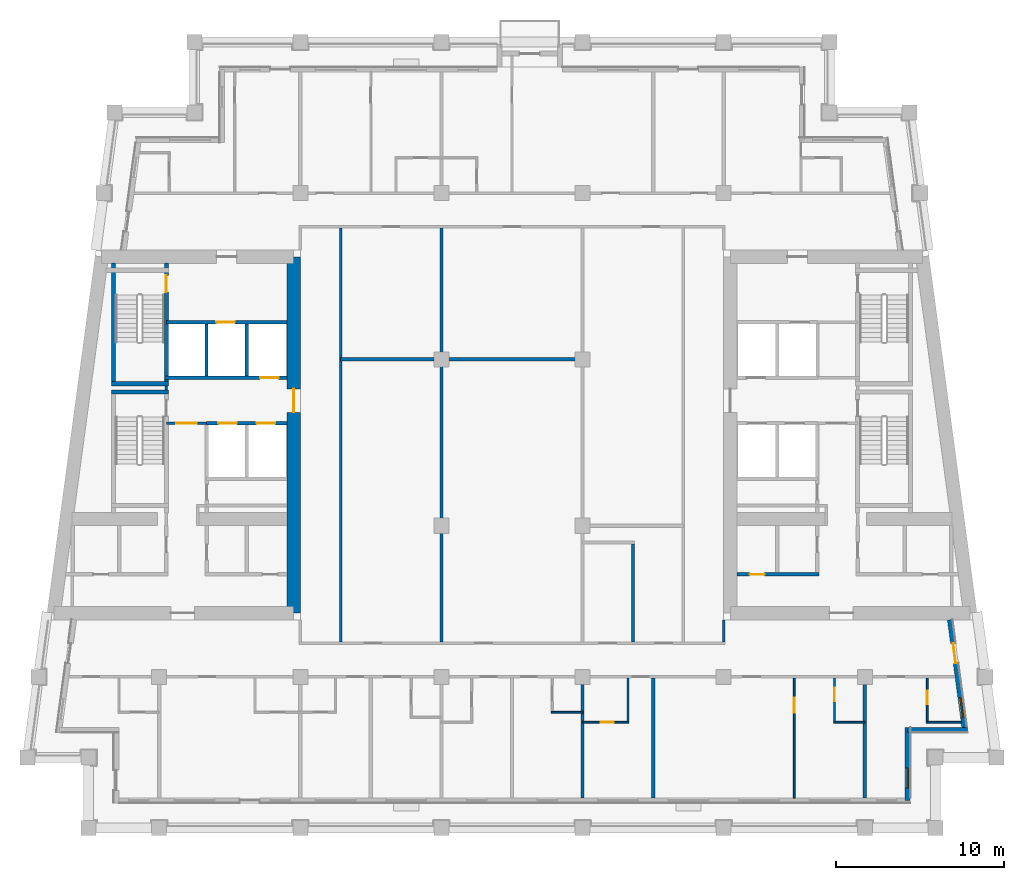
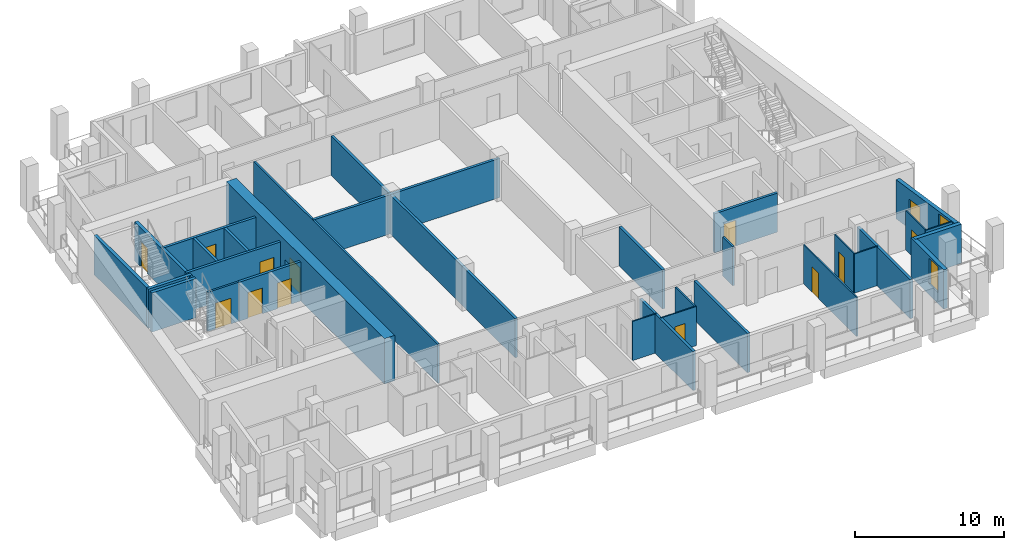
# One storey, part 4 of 13: 32 walls, 13 doors, 2 windows, 15 openings.
"""IFC4 building model written with IfcOpenShell, lengths in metres."""

import ifcopenshell
import ifcopenshell.guid

model = None  # the IFC model being written
_history = None  # IfcOwnerHistory: only IFC2X3 demands one
_inside = {}  # id of a spatial element -> (the spatial element, [elements in it])
_under = {}  # id of a project, library or spatial element -> (it, [spatial elements below it])
_declared = {}  # id of a project -> (the project, [libraries it declares])
_typed = {}  # id of a type object -> (the type object, [elements of that type])
_made_of = {}  # id of a material, layer set ... -> (it, [elements and type objects made of it])


def new_model(schema):
    """Start an empty IFC model of exactly this schema.

    Asked for "IFC4X3", IfcOpenShell would pick the latest addendum, in which some entities
    have other attributes; the version numbers below select the first issue.
    IFC2X3 requires an IfcOwnerHistory on every rooted entity: one is made here for all.
    """
    global model, _history
    if schema == "IFC4X3":
        model = ifcopenshell.file(schema_version=(4, 3, 0, 0))
    else:
        model = ifcopenshell.file(schema=schema)
    _inside.clear()
    _under.clear()
    _declared.clear()
    _typed.clear()
    _made_of.clear()
    _history = None
    if model.schema == "IFC2X3":
        org = make("IfcOrganization", Name="unknown")
        user = make(
            "IfcPersonAndOrganization",
            ThePerson=make("IfcPerson", FamilyName="unknown"),
            TheOrganization=org,
        )
        app = make(
            "IfcApplication",
            ApplicationDeveloper=org,
            Version="unknown",
            ApplicationFullName="unknown",
            ApplicationIdentifier="unknown",
        )
        _history = make(
            "IfcOwnerHistory",
            OwningUser=user,
            OwningApplication=app,
            ChangeAction="ADDED",
            CreationDate=0,
        )
    return model


def make(cls, **values):
    """One entity of the class cls with the attributes given. An attribute that is None is left unset."""
    return model.create_entity(
        cls, **{name: value for name, value in values.items() if value is not None}
    )


def rooted(cls, **values):
    """An entity with a GlobalId (a new one), such as an element, a storey or a relation."""
    return make(cls, GlobalId=ifcopenshell.guid.new(), OwnerHistory=_history, **values)


def si_unit(unit_type, name, prefix=None):
    """IfcSIUnit, for example si_unit("LENGTHUNIT", "METRE", prefix="MILLI")."""
    return make("IfcSIUnit", UnitType=unit_type, Prefix=prefix, Name=name)


def assignment(units):
    """IfcUnitAssignment: the units of a project."""
    return None if units is None else make("IfcUnitAssignment", Units=units)


def point(xyz):
    """IfcCartesianPoint."""
    return None if xyz is None else make("IfcCartesianPoint", Coordinates=xyz)


def direction(xyz):
    """IfcDirection."""
    return None if xyz is None else make("IfcDirection", DirectionRatios=xyz)


def frame(location, z_axis=None, x_axis=None):
    """IfcAxis2Placement3D, a coordinate frame: its origin and axes. An axis left out is left unset."""
    return make(
        "IfcAxis2Placement3D",
        Location=point(location),
        Axis=direction(z_axis),
        RefDirection=direction(x_axis),
    )


def frame_2d(location, x_axis=None):
    """IfcAxis2Placement2D, a coordinate frame in the plane: its origin and x axis."""
    return make(
        "IfcAxis2Placement2D", Location=point(location), RefDirection=direction(x_axis)
    )


def origin():
    """The frame at (0, 0, 0) with its axes left unset."""
    return frame((0.0, 0.0, 0.0))


def place(relative_to, where):
    """IfcLocalPlacement: puts the frame where relative to a parent placement (None: the world)."""
    return make(
        "IfcLocalPlacement", PlacementRelTo=relative_to, RelativePlacement=where
    )


def context(
    kind, dimensions, precision=None, world=None, true_north=None, identifier=None
):
    """IfcGeometricRepresentationContext, for example the 3D "Model" context."""
    return make(
        "IfcGeometricRepresentationContext",
        ContextIdentifier=identifier,
        ContextType=kind,
        CoordinateSpaceDimension=dimensions,
        Precision=precision,
        WorldCoordinateSystem=world,
        TrueNorth=true_north,
    )


def subcontext(parent, identifier, kind, view, scale=None):
    """IfcGeometricRepresentationSubContext, for example "Body" below "Model"."""
    return make(
        "IfcGeometricRepresentationSubContext",
        ContextIdentifier=identifier,
        ContextType=kind,
        ParentContext=parent,
        TargetScale=scale,
        TargetView=view,
    )


def project(units=None, contexts=None):
    """IfcProject with its units and contexts."""
    return rooted(
        "IfcProject",
        Name="project",
        RepresentationContexts=contexts,
        UnitsInContext=assignment(units),
    )


def spatial(cls, under=None, at=None, **own):
    """A site, building, storey or space (cls), placed at a placement, below another one or the project."""
    s = rooted(cls, ObjectPlacement=at, **own)
    if under is not None:
        _under.setdefault(under.id(), (under, []))[1].append(s)
    return s


def profile(cls, at=None, kind="AREA", **sizes):
    """A parametric profile (cls). Its sizes go by their IFC names, for example OverallWidth=200.0."""
    return make(cls, ProfileType=kind, Position=at, **sizes)


def rectangle(**sizes):
    """IfcRectangleProfileDef."""
    return profile("IfcRectangleProfileDef", **sizes)


def extrude(swept, where, along, depth):
    """IfcExtrudedAreaSolid: the profile swept, set in the frame where, extruded along a direction by depth."""
    return make(
        "IfcExtrudedAreaSolid",
        SweptArea=swept,
        Position=where,
        ExtrudedDirection=direction(along),
        Depth=depth,
    )


def shape(context_of_items, identifier, shape_type, items):
    """IfcShapeRepresentation: the items that make up one representation, for example the "Body"."""
    return make(
        "IfcShapeRepresentation",
        ContextOfItems=context_of_items,
        RepresentationIdentifier=identifier,
        RepresentationType=shape_type,
        Items=items,
    )


def material(Name=None, Category=None):
    """IfcMaterial."""
    return make("IfcMaterial", Name=Name, Category=Category)


def layer(
    of_material, thickness, ventilated=None, Name=None, Category=None, Priority=None
):
    """IfcMaterialLayer: one layer of a wall or slab, of a material (None: an air gap)."""
    return make(
        "IfcMaterialLayer",
        Material=of_material,
        LayerThickness=thickness,
        IsVentilated=ventilated,
        Name=Name,
        Category=Category,
        Priority=Priority,
    )


def layer_set(layers, Name=None):
    """IfcMaterialLayerSet."""
    return make("IfcMaterialLayerSet", MaterialLayers=layers, LayerSetName=Name)


def made_of(thing, what):
    """Note that an element or type object is made of a material, layer set ...; save() writes the relation."""
    if what is not None:
        _made_of.setdefault(what.id(), (what, []))[1].append(thing)
    return thing


def type_object(cls, material=None, **own):
    """A type object (cls), such as IfcWallType, which elements share."""
    return made_of(rooted(cls, **own), material)


def element(
    cls,
    number,
    at=None,
    inside=None,
    cuts=None,
    type_object=None,
    material=None,
    context=None,
    identifier="Body",
    shape_type=None,
    held_by="IfcProductDefinitionShape",
    body=None,
    shapes=None,
    **own,
):
    """One element of the class cls, such as IfcWall. Its Tag is "e" and its number.

    at: its placement. inside: the storey or other place that contains it. cuts: it is an
    opening in that element (IfcRelVoidsElement). A single representation is given by context,
    identifier, shape_type and body (its items); several are given by shapes. held_by: the class
    of the entity that holds the representations. save() writes the other relations.
    """
    e = rooted(cls, Tag="e%d" % number, ObjectPlacement=at, **own)
    if body is not None:
        shapes = [shape(context, identifier, shape_type, body)]
    if shapes is not None:
        e.Representation = make(held_by, Representations=shapes)
    if inside is not None:
        _inside.setdefault(inside.id(), (inside, []))[1].append(e)
    if cuts is not None:
        rooted(
            "IfcRelVoidsElement", RelatingBuildingElement=cuts, RelatedOpeningElement=e
        )
    if type_object is not None:
        _typed.setdefault(type_object.id(), (type_object, []))[1].append(e)
    return made_of(e, material)


def fill(opening, filler):
    """IfcRelFillsElement: the door or window that sits in an opening."""
    return rooted(
        "IfcRelFillsElement",
        RelatingOpeningElement=opening,
        RelatedBuildingElement=filler,
    )


def aggregate(whole, parts):
    """IfcRelAggregates: a whole, such as a stair, and the parts it consists of."""
    return rooted("IfcRelAggregates", RelatingObject=whole, RelatedObjects=parts)


def save(model, path):
    """Write the relations noted so far, then the file.

    IfcRelAggregates (storeys below a building ...), IfcRelContainedInSpatialStructure (elements
    in a storey), IfcRelDefinesByType, IfcRelAssociatesMaterial and IfcRelDeclares: one each for
    every whole, place, type object, material and project.
    """
    for whole, parts in _under.values():
        aggregate(whole, parts)
    for where, things in _inside.values():
        rooted(
            "IfcRelContainedInSpatialStructure",
            RelatedElements=things,
            RelatingStructure=where,
        )
    for kind, things in _typed.values():
        rooted("IfcRelDefinesByType", RelatedObjects=things, RelatingType=kind)
    for what, things in _made_of.values():
        rooted("IfcRelAssociatesMaterial", RelatedObjects=things, RelatingMaterial=what)
    for by, libraries in _declared.values():
        rooted("IfcRelDeclares", RelatingContext=by, RelatedDefinitions=libraries)
    model.write(path)


model = new_model("IFC4")

# Units and contexts
model_context = context("Model", 3, precision=1e-05, world=origin(), true_north=direction((0.0, 1.0)))
body_context = subcontext(model_context, "Body", "Model", "MODEL_VIEW")
ifc_project = project(units=[si_unit("LENGTHUNIT", "METRE"), si_unit("AREAUNIT", "SQUARE_METRE"), si_unit("VOLUMEUNIT", "CUBIC_METRE"), si_unit("PLANEANGLEUNIT", "RADIAN"), si_unit("MASSUNIT", "GRAM", prefix="KILO")], contexts=[model_context])

# Site, building, storey
site_placement = place(None, origin())
site = spatial("IfcSite", under=ifc_project, at=site_placement, CompositionType="ELEMENT")
building_placement = place(site_placement, origin())
building = spatial("IfcBuilding", under=site, at=building_placement, Name="Candeia Pilgrim Tower and Theatre", CompositionType="ELEMENT")
storey_placement = place(building_placement, frame((0.0, 0.0, 242.89990234375)))
storey = spatial("IfcBuildingStorey", under=building, at=storey_placement, Name="L59", CompositionType="ELEMENT", Elevation=242.89990234375)

# Wall, opening, door
ifc_material_1 = material(Name="Concrete C50/60", Category="concrete")
ifc_layer_1 = layer(ifc_material_1, 0.800048828125)
ifc_layer_set_1 = layer_set([ifc_layer_1], Name="Core wall 800 C50/60")
wall_type_1 = type_object("IfcWallType", Name="Core wall 800 C50/60", PredefinedType="SHEAR", material=ifc_layer_set_1)
wall_1_placement = place(storey_placement, frame((100.39990234375, 132.0, 0.0), z_axis=(0.0, 0.0, 1.0), x_axis=(0.0, -1.0, 0.0)))
wall_1 = element("IfcWall", 1, at=wall_1_placement, inside=storey, type_object=wall_type_1, Name="Core wall W2", PredefinedType="SHEAR", context=body_context, shape_type="SweptSolid", body=[
    extrude(rectangle(XDim=21.199951171875, YDim=0.800048828125, at=frame_2d((10.60009765625, 0.0))), origin(), (0.0, 0.0, 1.0), 3.7001953125),
])
opening_1_placement = place(wall_1_placement, frame((7.85009765625, 0.0, 0.0)))
opening_1 = element("IfcOpeningElement", 2, at=opening_1_placement, cuts=wall_1, Name="Opening L59-D058", PredefinedType="OPENING", context=body_context, shape_type="SweptSolid", body=[
    extrude(rectangle(XDim=1.39990234375, YDim=2.10009765625, at=frame_2d((0.699951171875, 1.050048828125))), frame((0.0, 0.41015625, 0.0), z_axis=(0.0, -1.0, 0.0), x_axis=(1.0, 0.0, 0.0)), (0.0, 0.0, 1.0), 0.820068359375),
])
ifc_material_2 = material(Name="Steel fire door set", Category="steel")
door_type_1 = type_object("IfcDoorType", Name="D-1400-FD60", OperationType="NOTDEFINED", PredefinedType="DOOR", material=ifc_material_2)
door_1_placement = place(opening_1_placement, origin())
door_1 = element("IfcDoor", 3, at=door_1_placement, inside=storey, type_object=door_type_1, Name="Door L59-D058", OperationType="SINGLE_SWING_LEFT", OverallHeight=2.10009765625, OverallWidth=1.39990234375, PredefinedType="DOOR", context=body_context, shape_type="SweptSolid", body=[
    extrude(rectangle(XDim=1.39990234375, YDim=2.10009765625, at=frame_2d((0.699951171875, 1.050048828125))), frame((0.0, 0.02490234375, 0.0), z_axis=(0.0, -1.0, 0.0), x_axis=(1.0, 0.0, 0.0)), (0.0, 0.0, 1.0), 0.050048828125),
])
fill(opening_1, door_1)

# Wall, opening, window
ifc_material_3 = material(Name="Ceramic block masonry", Category="masonry")
ifc_layer_2 = layer(ifc_material_3, 0.300048828125)
ifc_layer_set_2 = layer_set([ifc_layer_2], Name="EW1 glazing-line wall 300")
wall_type_2 = type_object("IfcWallType", Name="EW1 glazing-line wall 300", PredefinedType="SOLIDWALL", material=ifc_layer_set_2)
wall_2_placement = place(storey_placement, frame((136.949951171875, 99.64990234375, 0.0), z_axis=(0.0, 0.0, 1.0), x_axis=(0.0, 1.0, 0.0)))
wall_2 = element("IfcWall", 4, at=wall_2_placement, inside=storey, type_object=wall_type_2, Name="External wall L59-1.0", PredefinedType="SOLIDWALL", context=body_context, shape_type="SweptSolid", body=[
    extrude(rectangle(XDim=4.35009765625, YDim=0.300048828125, at=frame_2d((2.175048828125, 0.0))), origin(), (0.0, 0.0, 1.0), 3.2001953125),
])
opening_2_placement = place(wall_2_placement, frame((0.72509765625, 0.0, 0.89990234375)))
opening_2 = element("IfcOpeningElement", 5, at=opening_2_placement, cuts=wall_2, Name="Opening W-B", PredefinedType="OPENING", context=body_context, shape_type="SweptSolid", body=[
    extrude(rectangle(XDim=1.199951171875, YDim=2.10009765625, at=frame_2d((0.60009765625, 1.050048828125))), frame((0.0, 0.16015625, 0.0), z_axis=(0.0, -1.0, 0.0), x_axis=(1.0, 0.0, 0.0)), (0.0, 0.0, 1.0), 0.320068359375),
])
ifc_material_4 = material(Name="Aluminium framed double glazing", Category="aluminium")
window_type = type_object("IfcWindowType", Name="W-B window 1200x2100", PartitioningType="SINGLE_PANEL", PredefinedType="WINDOW", material=ifc_material_4)
window_1_placement = place(opening_2_placement, origin())
window_1 = element("IfcWindow", 6, at=window_1_placement, inside=storey, type_object=window_type, Name="Window W-B L59", OverallHeight=2.10009765625, OverallWidth=1.199951171875, PartitioningType="SINGLE_PANEL", PredefinedType="WINDOW", context=body_context, shape_type="SweptSolid", body=[
    extrude(rectangle(XDim=1.199951171875, YDim=2.10009765625, at=frame_2d((0.60009765625, 1.050048828125))), frame((0.0, 0.030029296875, 0.0), z_axis=(0.0, -1.0, 0.0), x_axis=(1.0, 0.0, 0.0)), (0.0, 0.0, 1.0), 0.06005859375),
])
fill(opening_2, window_1)

# Wall
wall_3_placement = place(storey_placement, frame((136.949951171875, 103.85009765625, 0.0), z_axis=(0.0, 0.0, 1.0), x_axis=(1.0, 0.0, 0.0)))
element("IfcWall", 7, at=wall_3_placement, inside=storey, type_object=wall_type_2, Name="External wall L59-2.0", PredefinedType="SOLIDWALL", context=body_context, shape_type="SweptSolid", body=[
    extrude(rectangle(XDim=3.569091796875, YDim=0.300048828125, at=frame_2d((1.78466796875, 0.0))), origin(), (0.0, 0.0, 1.0), 3.2001953125),
])

# Wall, openings, door, window
wall_4_placement = place(storey_placement, frame((140.34765625, 103.85009765625, 0.0), z_axis=(0.0, 0.0, 1.0), x_axis=(-0.133431549479, 0.991058031401, 0.0)))
wall_4 = element("IfcWall", 8, at=wall_4_placement, inside=storey, type_object=wall_type_2, Name="External wall L59-3.0", PredefinedType="SOLIDWALL", context=body_context, shape_type="SweptSolid", body=[
    extrude(rectangle(XDim=6.60888671875, YDim=0.300048828125, at=frame_2d((3.304443359375, 0.0))), origin(), (0.0, 0.0, 1.0), 3.2001953125),
])
opening_3_placement = place(wall_4_placement, frame((0.736572265625, 0.0, 0.89990234375)))
opening_3 = element("IfcOpeningElement", 9, at=opening_3_placement, cuts=wall_4, Name="Opening W-B", PredefinedType="OPENING", context=body_context, shape_type="SweptSolid", body=[
    extrude(rectangle(XDim=1.199951171875, YDim=2.10009765625, at=frame_2d((0.60009765625, 1.050048828125))), frame((0.0, 0.16015625, 0.0), z_axis=(0.0, -1.0, 0.0), x_axis=(1.0, 0.0, 0.0)), (0.0, 0.0, 1.0), 0.320068359375),
])
opening_4_placement = place(wall_4_placement, frame((3.990966796875, 0.0, 0.0)))
opening_4 = element("IfcOpeningElement", 10, at=opening_4_placement, cuts=wall_4, Name="Opening L59-ED568", PredefinedType="OPENING", context=body_context, shape_type="SweptSolid", body=[
    extrude(rectangle(XDim=1.199951171875, YDim=2.39990234375, at=frame_2d((0.60009765625, 1.199951171875))), frame((0.0, 0.16015625, 0.0), z_axis=(0.0, -1.0, 0.0), x_axis=(1.0, 0.0, 0.0)), (0.0, 0.0, 1.0), 0.320068359375),
])
ifc_material_5 = material(Name="Aluminium framed glazed door", Category="aluminium")
door_type_2 = type_object("IfcDoorType", Name="Loggia door 1200x2400", OperationType="DOUBLE_DOOR_SINGLE_SWING", PredefinedType="DOOR", material=ifc_material_5)
door_2_placement = place(opening_4_placement, origin())
door_2 = element("IfcDoor", 11, at=door_2_placement, inside=storey, type_object=door_type_2, Name="Loggia door L59-ED568", OperationType="DOUBLE_DOOR_SINGLE_SWING", OverallHeight=2.39990234375, OverallWidth=1.199951171875, PredefinedType="DOOR", context=body_context, shape_type="SweptSolid", body=[
    extrude(rectangle(XDim=1.199951171875, YDim=2.39990234375, at=frame_2d((0.60009765625, 1.199951171875))), frame((0.0, 0.02490234375, 0.0), z_axis=(0.0, -1.0, 0.0), x_axis=(1.0, 0.0, 0.0)), (0.0, 0.0, 1.0), 0.050048828125),
])
fill(opening_4, door_2)
window_2_placement = place(opening_3_placement, origin())
window_2 = element("IfcWindow", 12, at=window_2_placement, inside=storey, type_object=window_type, Name="Window W-B L59", OverallHeight=2.10009765625, OverallWidth=1.199951171875, PartitioningType="SINGLE_PANEL", PredefinedType="WINDOW", context=body_context, shape_type="SweptSolid", body=[
    extrude(rectangle(XDim=1.199951171875, YDim=2.10009765625, at=frame_2d((0.60009765625, 1.050048828125))), frame((0.0, 0.030029296875, 0.0), z_axis=(0.0, -1.0, 0.0), x_axis=(1.0, 0.0, 0.0)), (0.0, 0.0, 1.0), 0.06005859375),
])
fill(opening_3, window_2)

# Wall, opening, door
ifc_material_6 = material(Name="Gypsum board partition on steel studs", Category="steel")
ifc_layer_3 = layer(ifc_material_6, 0.10009765625)
ifc_layer_set_3 = layer_set([ifc_layer_3], Name="PW-100 room partition")
wall_type_3 = type_object("IfcWallType", Name="PW-100 room partition", PredefinedType="PARTITIONING", material=ifc_layer_set_3)
wall_5_placement = place(storey_placement, frame((117.60009765625, 104.300048828125, 0.0), z_axis=(0.0, 0.0, 1.0), x_axis=(1.0, 0.0, 0.0)))
wall_5 = element("IfcWall", 13, at=wall_5_placement, inside=storey, type_object=wall_type_3, Name="Room partition L59-002", PredefinedType="PARTITIONING", context=body_context, shape_type="SweptSolid", body=[
    extrude(rectangle(XDim=2.75, YDim=0.10009765625, at=frame_2d((1.375, 0.0))), origin(), (0.0, 0.0, 1.0), 3.2001953125),
])
opening_5_placement = place(wall_5_placement, frame((1.070068359375, 0.0, 0.0)))
opening_5 = element("IfcOpeningElement", 14, at=opening_5_placement, cuts=wall_5, Name="Opening L59-D030", PredefinedType="OPENING", context=body_context, shape_type="SweptSolid", body=[
    extrude(rectangle(XDim=0.800048828125, YDim=2.10009765625, at=frame_2d((0.39990234375, 1.050048828125))), frame((0.0, 0.06005859375, 0.0), z_axis=(0.0, -1.0, 0.0), x_axis=(1.0, 0.0, 0.0)), (0.0, 0.0, 1.0), 0.1201171875),
])
ifc_material_7 = material(Name="Timber door leaf", Category="wood")
door_type_3 = type_object("IfcDoorType", Name="D-800", OperationType="NOTDEFINED", PredefinedType="DOOR", material=ifc_material_7)
door_3_placement = place(opening_5_placement, origin())
door_3 = element("IfcDoor", 15, at=door_3_placement, inside=storey, type_object=door_type_3, Name="Door L59-D030", OperationType="SINGLE_SWING_LEFT", OverallHeight=2.10009765625, OverallWidth=0.800048828125, PredefinedType="DOOR", context=body_context, shape_type="SweptSolid", body=[
    extrude(rectangle(XDim=0.800048828125, YDim=2.10009765625, at=frame_2d((0.39990234375, 1.050048828125))), frame((0.0, 0.02490234375, 0.0), z_axis=(0.0, -1.0, 0.0), x_axis=(1.0, 0.0, 0.0)), (0.0, 0.0, 1.0), 0.050048828125),
])
fill(opening_5, door_3)

# Walls
wall_6_placement = place(storey_placement, frame((132.550048828125, 104.300048828125, 0.0), z_axis=(0.0, 0.0, 1.0), x_axis=(1.0, 0.0, 0.0)))
element("IfcWall", 16, at=wall_6_placement, inside=storey, type_object=wall_type_3, Name="Room partition L59-003", PredefinedType="PARTITIONING", context=body_context, shape_type="SweptSolid", body=[
    extrude(rectangle(XDim=1.849853515625, YDim=0.10009765625, at=frame_2d((0.9248046875, 0.0))), origin(), (0.0, 0.0, 1.0), 3.2001953125),
])
wall_7_placement = place(storey_placement, frame((138.070068359375, 104.300048828125, 0.0), z_axis=(0.0, 0.0, 1.0), x_axis=(1.0, 0.0, 0.0)))
element("IfcWall", 17, at=wall_7_placement, inside=storey, type_object=wall_type_3, Name="Room partition L59-004", PredefinedType="PARTITIONING", context=body_context, shape_type="SweptSolid", body=[
    extrude(rectangle(XDim=2.07568359375, YDim=0.10009765625, at=frame_2d((1.037841796875, 0.0))), origin(), (0.0, 0.0, 1.0), 3.2001953125),
])
wall_8_placement = place(storey_placement, frame((115.75, 104.89990234375, 0.0), z_axis=(0.0, 0.0, 1.0), x_axis=(1.0, 0.0, 0.0)))
element("IfcWall", 18, at=wall_8_placement, inside=storey, type_object=wall_type_3, Name="Room partition L59-008", PredefinedType="PARTITIONING", context=body_context, shape_type="SweptSolid", body=[
    extrude(rectangle(XDim=1.85009765625, YDim=0.10009765625, at=frame_2d((0.925048828125, 0.0))), origin(), (0.0, 0.0, 1.0), 3.2001953125),
])
wall_9_placement = place(storey_placement, frame((120.300048828125, 104.35009765625, 0.0), z_axis=(0.0, 0.0, 1.0), x_axis=(0.0, 1.0, 0.0)))
element("IfcWall", 19, at=wall_9_placement, inside=storey, type_object=wall_type_3, Name="Room partition L59-089", PredefinedType="PARTITIONING", context=body_context, shape_type="SweptSolid", body=[
    extrude(rectangle(XDim=2.574951171875, YDim=0.10009765625, at=frame_2d((1.28759765625, 0.0))), origin(), (0.0, 0.0, 1.0), 3.2001953125),
])

# Wall, opening, door
wall_10_placement = place(storey_placement, frame((130.199951171875, 99.7900390625, 0.0), z_axis=(0.0, 0.0, 1.0), x_axis=(0.0, 1.0, 0.0)))
wall_10 = element("IfcWall", 20, at=wall_10_placement, inside=storey, type_object=wall_type_3, Name="Room partition L59-100", PredefinedType="PARTITIONING", context=body_context, shape_type="SweptSolid", body=[
    extrude(rectangle(XDim=7.135009765625, YDim=0.10009765625, at=frame_2d((3.5673828125, 0.0))), origin(), (0.0, 0.0, 1.0), 3.2001953125),
])
opening_6_placement = place(wall_10_placement, frame((5.074951171875, 0.0, 0.0)))
opening_6 = element("IfcOpeningElement", 21, at=opening_6_placement, cuts=wall_10, Name="Opening L59-D032", PredefinedType="OPENING", context=body_context, shape_type="SweptSolid", body=[
    extrude(rectangle(XDim=0.89990234375, YDim=2.10009765625, at=frame_2d((0.449951171875, 1.050048828125))), frame((0.0, 0.06005859375, 0.0), z_axis=(0.0, -1.0, 0.0), x_axis=(1.0, 0.0, 0.0)), (0.0, 0.0, 1.0), 0.1201171875),
])
door_type_4 = type_object("IfcDoorType", Name="D-900", OperationType="NOTDEFINED", PredefinedType="DOOR", material=ifc_material_7)
door_4_placement = place(opening_6_placement, origin())
door_4 = element("IfcDoor", 22, at=door_4_placement, inside=storey, type_object=door_type_4, Name="Door L59-D032", OperationType="SINGLE_SWING_LEFT", OverallHeight=2.10009765625, OverallWidth=0.89990234375, PredefinedType="DOOR", context=body_context, shape_type="SweptSolid", body=[
    extrude(rectangle(XDim=0.89990234375, YDim=2.10009765625, at=frame_2d((0.449951171875, 1.050048828125))), frame((0.0, 0.02490234375, 0.0), z_axis=(0.0, -1.0, 0.0), x_axis=(1.0, 0.0, 0.0)), (0.0, 0.0, 1.0), 0.050048828125),
])
fill(opening_6, door_4)

wall_11_placement = place(storey_placement, frame((132.60009765625, 104.35009765625, 0.0), z_axis=(0.0, 0.0, 1.0), x_axis=(0.0, 1.0, 0.0)))
wall_11 = element("IfcWall", 23, at=wall_11_placement, inside=storey, type_object=wall_type_3, Name="Room partition L59-106", PredefinedType="PARTITIONING", context=body_context, shape_type="SweptSolid", body=[
    extrude(rectangle(XDim=2.574951171875, YDim=0.10009765625, at=frame_2d((1.28759765625, 0.0))), origin(), (0.0, 0.0, 1.0), 3.2001953125),
])
opening_7_placement = place(wall_11_placement, frame((1.199951171875, 0.0, 0.0)))
opening_7 = element("IfcOpeningElement", 24, at=opening_7_placement, cuts=wall_11, Name="Opening L59-D033", PredefinedType="OPENING", context=body_context, shape_type="SweptSolid", body=[
    extrude(rectangle(XDim=0.800048828125, YDim=2.10009765625, at=frame_2d((0.39990234375, 1.050048828125))), frame((0.0, 0.06005859375, 0.0), z_axis=(0.0, -1.0, 0.0), x_axis=(1.0, 0.0, 0.0)), (0.0, 0.0, 1.0), 0.1201171875),
])
door_5_placement = place(opening_7_placement, origin())
door_5 = element("IfcDoor", 25, at=door_5_placement, inside=storey, type_object=door_type_3, Name="Door L59-D033", OperationType="SINGLE_SWING_RIGHT", OverallHeight=2.10009765625, OverallWidth=0.800048828125, PredefinedType="DOOR", context=body_context, shape_type="SweptSolid", body=[
    extrude(rectangle(XDim=0.800048828125, YDim=2.10009765625, at=frame_2d((0.39990234375, 1.050048828125))), frame((0.0, 0.02490234375, 0.0), z_axis=(0.0, -1.0, 0.0), x_axis=(1.0, 0.0, 0.0)), (0.0, 0.0, 1.0), 0.050048828125),
])
fill(opening_7, door_5)

wall_12_placement = place(storey_placement, frame((138.1201171875, 104.35009765625, 0.0), z_axis=(0.0, 0.0, 1.0), x_axis=(0.0, 1.0, 0.0)))
wall_12 = element("IfcWall", 26, at=wall_12_placement, inside=storey, type_object=wall_type_3, Name="Room partition L59-117", PredefinedType="PARTITIONING", context=body_context, shape_type="SweptSolid", body=[
    extrude(rectangle(XDim=2.574951171875, YDim=0.10009765625, at=frame_2d((1.28759765625, 0.0))), origin(), (0.0, 0.0, 1.0), 3.2001953125),
])
opening_8_placement = place(wall_12_placement, frame((1.02001953125, 0.0, 0.0)))
opening_8 = element("IfcOpeningElement", 27, at=opening_8_placement, cuts=wall_12, Name="Opening L59-D035", PredefinedType="OPENING", context=body_context, shape_type="SweptSolid", body=[
    extrude(rectangle(XDim=0.800048828125, YDim=2.10009765625, at=frame_2d((0.39990234375, 1.050048828125))), frame((0.0, 0.06005859375, 0.0), z_axis=(0.0, -1.0, 0.0), x_axis=(1.0, 0.0, 0.0)), (0.0, 0.0, 1.0), 0.1201171875),
])
door_6_placement = place(opening_8_placement, origin())
door_6 = element("IfcDoor", 28, at=door_6_placement, inside=storey, type_object=door_type_3, Name="Door L59-D035", OperationType="SINGLE_SWING_RIGHT", OverallHeight=2.10009765625, OverallWidth=0.800048828125, PredefinedType="DOOR", context=body_context, shape_type="SweptSolid", body=[
    extrude(rectangle(XDim=0.800048828125, YDim=2.10009765625, at=frame_2d((0.39990234375, 1.050048828125))), frame((0.0, 0.02490234375, 0.0), z_axis=(0.0, -1.0, 0.0), x_axis=(1.0, 0.0, 0.0)), (0.0, 0.0, 1.0), 0.050048828125),
])
fill(opening_8, door_6)

ifc_layer_4 = layer(ifc_material_6, 0.14990234375)
ifc_layer_set_4 = layer_set([ifc_layer_4], Name="PW-150 lobby wall")
wall_type_4 = type_object("IfcWallType", Name="PW-150 lobby wall", PredefinedType="PARTITIONING", material=ifc_layer_set_4)
wall_13_placement = place(storey_placement, frame((92.826904296875, 122.10009765625, 0.0), z_axis=(0.0, 0.0, 1.0), x_axis=(1.0, 0.0, 0.0)))
wall_13 = element("IfcWall", 29, at=wall_13_placement, inside=storey, type_object=wall_type_4, Name="Lobby wall L59-027", PredefinedType="PARTITIONING", context=body_context, shape_type="SweptSolid", body=[
    extrude(rectangle(XDim=2.400146484375, YDim=0.14990234375, at=frame_2d((1.2001953125, 0.0))), origin(), (0.0, 0.0, 1.0), 3.2001953125),
])
opening_9_placement = place(wall_13_placement, frame((0.60009765625, 0.0, 0.0)))
opening_9 = element("IfcOpeningElement", 30, at=opening_9_placement, cuts=wall_13, Name="Opening L59-D001", PredefinedType="OPENING", context=body_context, shape_type="SweptSolid", body=[
    extrude(rectangle(XDim=1.199951171875, YDim=2.10009765625, at=frame_2d((0.60009765625, 1.050048828125))), frame((0.0, 0.0849609375, 0.0), z_axis=(0.0, -1.0, 0.0), x_axis=(1.0, 0.0, 0.0)), (0.0, 0.0, 1.0), 0.169921875),
])
door_type_5 = type_object("IfcDoorType", Name="D-1200-FD60", OperationType="NOTDEFINED", PredefinedType="DOOR", material=ifc_material_2)
door_7_placement = place(opening_9_placement, origin())
door_7 = element("IfcDoor", 31, at=door_7_placement, inside=storey, type_object=door_type_5, Name="Door L59-D001", OperationType="SINGLE_SWING_RIGHT", OverallHeight=2.10009765625, OverallWidth=1.199951171875, PredefinedType="DOOR", context=body_context, shape_type="SweptSolid", body=[
    extrude(rectangle(XDim=1.199951171875, YDim=2.10009765625, at=frame_2d((0.60009765625, 1.050048828125))), frame((0.0, 0.02490234375, 0.0), z_axis=(0.0, -1.0, 0.0), x_axis=(1.0, 0.0, 0.0)), (0.0, 0.0, 1.0), 0.050048828125),
])
fill(opening_9, door_7)

# Walls
wall_14_placement = place(storey_placement, frame((92.826904296875, 124.074951171875, 0.0), z_axis=(0.0, 0.0, 1.0), x_axis=(0.0, 1.0, 0.0)))
element("IfcWall", 32, at=wall_14_placement, inside=storey, type_object=wall_type_4, Name="Lobby wall L59-056", PredefinedType="PARTITIONING", context=body_context, shape_type="SweptSolid", body=[
    extrude(rectangle(XDim=0.25, YDim=0.14990234375, at=frame_2d((0.125, 0.0))), origin(), (0.0, 0.0, 1.0), 3.2001953125),
])
ifc_layer_5 = layer(ifc_material_6, 0.14990234375)
ifc_layer_set_5 = layer_set([ifc_layer_5], Name="PW-150 unit wall")
wall_type_5 = type_object("IfcWallType", Name="PW-150 unit wall", PredefinedType="PARTITIONING", material=ifc_layer_set_5)
wall_15_placement = place(storey_placement, frame((103.199951171875, 109.074951171875, 0.0), z_axis=(0.0, 0.0, 1.0), x_axis=(0.0, 1.0, 0.0)))
element("IfcWall", 33, at=wall_15_placement, inside=storey, type_object=wall_type_5, Name="Unit wall L59-074", PredefinedType="PARTITIONING", context=body_context, shape_type="SweptSolid", body=[
    extrude(rectangle(XDim=24.650146484375, YDim=0.14990234375, at=frame_2d((12.3251953125, 0.0))), origin(), (0.0, 0.0, 1.0), 3.2001953125),
])
wall_16_placement = place(storey_placement, frame((126.0, 109.074951171875, 0.0), z_axis=(0.0, 0.0, 1.0), x_axis=(0.0, 1.0, 0.0)))
element("IfcWall", 34, at=wall_16_placement, inside=storey, type_object=wall_type_5, Name="Unit wall L59-095", PredefinedType="PARTITIONING", context=body_context, shape_type="SweptSolid", body=[
    extrude(rectangle(XDim=1.324951171875, YDim=0.14990234375, at=frame_2d((0.66259765625, 0.0))), origin(), (0.0, 0.0, 1.0), 3.2001953125),
])
ifc_layer_6 = layer(ifc_material_6, 0.199951171875)
ifc_layer_set_6 = layer_set([ifc_layer_6], Name="PW-200 party wall")
wall_type_6 = type_object("IfcWallType", Name="PW-200 party wall", PredefinedType="PARTITIONING", material=ifc_layer_set_6)
wall_17_placement = place(storey_placement, frame((103.199951171875, 125.89990234375, 0.0), z_axis=(0.0, 0.0, 1.0), x_axis=(1.0, 0.0, 0.0)))
element("IfcWall", 35, at=wall_17_placement, inside=storey, type_object=wall_type_6, Name="Party wall L59-036", PredefinedType="PARTITIONING", context=body_context, shape_type="SweptSolid", body=[
    extrude(rectangle(XDim=14.400146484375, YDim=0.199951171875, at=frame_2d((7.2001953125, 0.0))), origin(), (0.0, 0.0, 1.0), 3.2001953125),
])
wall_18_placement = place(storey_placement, frame((109.199951171875, 109.074951171875, 0.0), z_axis=(0.0, 0.0, 1.0), x_axis=(0.0, 1.0, 0.0)))
element("IfcWall", 36, at=wall_18_placement, inside=storey, type_object=wall_type_6, Name="Party wall L59-080", PredefinedType="PARTITIONING", context=body_context, shape_type="SweptSolid", body=[
    extrude(rectangle(XDim=24.650146484375, YDim=0.199951171875, at=frame_2d((12.3251953125, 0.0))), origin(), (0.0, 0.0, 1.0), 3.2001953125),
])
wall_19_placement = place(storey_placement, frame((117.60009765625, 99.7900390625, 0.0), z_axis=(0.0, 0.0, 1.0), x_axis=(0.0, 1.0, 0.0)))
element("IfcWall", 37, at=wall_19_placement, inside=storey, type_object=wall_type_6, Name="Party wall L59-087", PredefinedType="PARTITIONING", context=body_context, shape_type="SweptSolid", body=[
    extrude(rectangle(XDim=7.135009765625, YDim=0.199951171875, at=frame_2d((3.5673828125, 0.0))), origin(), (0.0, 0.0, 1.0), 3.2001953125),
])
wall_20_placement = place(storey_placement, frame((120.60009765625, 109.074951171875, 0.0), z_axis=(0.0, 0.0, 1.0), x_axis=(0.0, 1.0, 0.0)))
element("IfcWall", 38, at=wall_20_placement, inside=storey, type_object=wall_type_6, Name="Party wall L59-090", PredefinedType="PARTITIONING", context=body_context, shape_type="SweptSolid", body=[
    extrude(rectangle(XDim=5.824951171875, YDim=0.199951171875, at=frame_2d((2.91259765625, 0.0))), origin(), (0.0, 0.0, 1.0), 3.2001953125),
])
for number, where, z_axis, x_axis, name in (
    (39, (121.800048828125, 99.7900390625, 0.0), (0.0, 0.0, 1.0), (0.0, 1.0, 0.0), "Party wall L59-091"),
    (40, (134.39990234375, 99.7900390625, 0.0), (0.0, 0.0, 1.0), (0.0, 1.0, 0.0), "Party wall L59-113"),
):
    element("IfcWall", number, at=place(storey_placement, frame(where, z_axis=z_axis, x_axis=x_axis)), inside=storey, type_object=wall_type_6, Name=name, PredefinedType="PARTITIONING", context=body_context, shape_type="SweptSolid", body=[
        extrude(rectangle(XDim=7.135009765625, YDim=0.199951171875, at=frame_2d((3.5673828125, 0.0))), origin(), (0.0, 0.0, 1.0), 3.2001953125),
    ])

# Wall, opening, door
ifc_material_8 = material(Name="Concrete C40/50", Category="concrete")
ifc_layer_7 = layer(ifc_material_8, 0.199951171875)
ifc_layer_set_7 = layer_set([ifc_layer_7], Name="SW-200 shaft wall")
wall_type_7 = type_object("IfcWallType", Name="SW-200 shaft wall", PredefinedType="PARTITIONING", material=ifc_layer_set_7)
wall_21_placement = place(storey_placement, frame((126.800048828125, 113.10009765625, 0.0), z_axis=(0.0, 0.0, 1.0), x_axis=(1.0, 0.0, 0.0)))
wall_21 = element("IfcWall", 41, at=wall_21_placement, inside=storey, type_object=wall_type_7, Name="Shaft wall L59-013", PredefinedType="PARTITIONING", context=body_context, shape_type="SweptSolid", body=[
    extrude(rectangle(XDim=4.873046875, YDim=0.199951171875, at=frame_2d((2.4365234375, 0.0))), origin(), (0.0, 0.0, 1.0), 3.2001953125),
])
opening_10_placement = place(wall_21_placement, frame((0.742919921875, 0.0, 0.0)))
opening_10 = element("IfcOpeningElement", 42, at=opening_10_placement, cuts=wall_21, Name="Opening L59-D016", PredefinedType="OPENING", context=body_context, shape_type="SweptSolid", body=[
    extrude(rectangle(XDim=0.89990234375, YDim=2.10009765625, at=frame_2d((0.449951171875, 1.050048828125))), frame((0.0, 0.10986328125, 0.0), z_axis=(0.0, -1.0, 0.0), x_axis=(1.0, 0.0, 0.0)), (0.0, 0.0, 1.0), 0.219970703125),
])
door_type_6 = type_object("IfcDoorType", Name="D-900-FD60", OperationType="NOTDEFINED", PredefinedType="DOOR", material=ifc_material_2)
door_8_placement = place(opening_10_placement, origin())
door_8 = element("IfcDoor", 43, at=door_8_placement, inside=storey, type_object=door_type_6, Name="Door L59-D016", OperationType="SINGLE_SWING_LEFT", OverallHeight=2.10009765625, OverallWidth=0.89990234375, PredefinedType="DOOR", context=body_context, shape_type="SweptSolid", body=[
    extrude(rectangle(XDim=0.89990234375, YDim=2.10009765625, at=frame_2d((0.449951171875, 1.050048828125))), frame((0.0, 0.02490234375, 0.0), z_axis=(0.0, -1.0, 0.0), x_axis=(1.0, 0.0, 0.0)), (0.0, 0.0, 1.0), 0.050048828125),
])
fill(opening_10, door_8)

# Wall, openings, doors
wall_22_placement = place(storey_placement, frame((95.22705078125, 122.10009765625, 0.0), z_axis=(0.0, 0.0, 1.0), x_axis=(1.0, 0.0, 0.0)))
wall_22 = element("IfcWall", 44, at=wall_22_placement, inside=storey, type_object=wall_type_7, Name="Shaft wall L59-025", PredefinedType="PARTITIONING", context=body_context, shape_type="SweptSolid", body=[
    extrude(rectangle(XDim=4.77294921875, YDim=0.199951171875, at=frame_2d((2.386474609375, 0.0))), origin(), (0.0, 0.0, 1.0), 3.2001953125),
])
opening_11_placement = place(wall_22_placement, frame((0.701904296875, 0.0, 0.0)))
opening_11 = element("IfcOpeningElement", 45, at=opening_11_placement, cuts=wall_22, Name="Opening L59-LD01", PredefinedType="OPENING", context=body_context, shape_type="SweptSolid", body=[
    extrude(rectangle(XDim=1.10009765625, YDim=2.10009765625, at=frame_2d((0.550048828125, 1.050048828125))), frame((0.0, 0.10986328125, 0.0), z_axis=(0.0, -1.0, 0.0), x_axis=(1.0, 0.0, 0.0)), (0.0, 0.0, 1.0), 0.219970703125),
])
opening_12_placement = place(wall_22_placement, frame((2.970947265625, 0.0, 0.0)))
opening_12 = element("IfcOpeningElement", 46, at=opening_12_placement, cuts=wall_22, Name="Opening L59-LD02", PredefinedType="OPENING", context=body_context, shape_type="SweptSolid", body=[
    extrude(rectangle(XDim=1.10009765625, YDim=2.10009765625, at=frame_2d((0.550048828125, 1.050048828125))), frame((0.0, 0.10986328125, 0.0), z_axis=(0.0, -1.0, 0.0), x_axis=(1.0, 0.0, 0.0)), (0.0, 0.0, 1.0), 0.219970703125),
])
ifc_material_9 = material(Name="Glazed aluminium landing door", Category="aluminium")
door_type_7 = type_object("IfcDoorType", Name="LD-1100-EI120", OperationType="SLIDING_TO_LEFT", PredefinedType="DOOR", material=ifc_material_9)
door_9_placement = place(opening_11_placement, origin())
door_9 = element("IfcDoor", 47, at=door_9_placement, inside=storey, type_object=door_type_7, Name="Landing door 01 L59", OperationType="SLIDING_TO_LEFT", OverallHeight=2.10009765625, OverallWidth=1.10009765625, PredefinedType="DOOR", context=body_context, shape_type="SweptSolid", body=[
    extrude(rectangle(XDim=1.10009765625, YDim=2.10009765625, at=frame_2d((0.550048828125, 1.050048828125))), frame((0.0, 0.02490234375, 0.0), z_axis=(0.0, -1.0, 0.0), x_axis=(1.0, 0.0, 0.0)), (0.0, 0.0, 1.0), 0.050048828125),
])
fill(opening_11, door_9)
door_10_placement = place(opening_12_placement, origin())
door_10 = element("IfcDoor", 48, at=door_10_placement, inside=storey, type_object=door_type_7, Name="Landing door 02 L59", OperationType="SLIDING_TO_LEFT", OverallHeight=2.10009765625, OverallWidth=1.10009765625, PredefinedType="DOOR", context=body_context, shape_type="SweptSolid", body=[
    extrude(rectangle(XDim=1.10009765625, YDim=2.10009765625, at=frame_2d((0.550048828125, 1.050048828125))), frame((0.0, 0.02490234375, 0.0), z_axis=(0.0, -1.0, 0.0), x_axis=(1.0, 0.0, 0.0)), (0.0, 0.0, 1.0), 0.050048828125),
])
fill(opening_12, door_10)

# Wall, opening, door
wall_23_placement = place(storey_placement, frame((92.701904296875, 124.800048828125, 0.0), z_axis=(0.0, 0.0, 1.0), x_axis=(1.0, 0.0, 0.0)))
wall_23 = element("IfcWall", 49, at=wall_23_placement, inside=storey, type_object=wall_type_7, Name="Shaft wall L59-033", PredefinedType="PARTITIONING", context=body_context, shape_type="SweptSolid", body=[
    extrude(rectangle(XDim=7.298095703125, YDim=0.199951171875, at=frame_2d((3.64892578125, 0.0))), origin(), (0.0, 0.0, 1.0), 3.2001953125),
])
opening_13_placement = place(wall_23_placement, frame((5.699951171875, 0.0, 0.0)))
opening_13 = element("IfcOpeningElement", 50, at=opening_13_placement, cuts=wall_23, Name="Opening L59-LD04", PredefinedType="OPENING", context=body_context, shape_type="SweptSolid", body=[
    extrude(rectangle(XDim=1.10009765625, YDim=2.10009765625, at=frame_2d((0.550048828125, 1.050048828125))), frame((0.0, 0.10986328125, 0.0), z_axis=(0.0, -1.0, 0.0), x_axis=(1.0, 0.0, 0.0)), (0.0, 0.0, 1.0), 0.219970703125),
])
door_11_placement = place(opening_13_placement, origin())
door_11 = element("IfcDoor", 51, at=door_11_placement, inside=storey, type_object=door_type_7, Name="Landing door 04 L59", OperationType="SLIDING_TO_LEFT", OverallHeight=2.10009765625, OverallWidth=1.10009765625, PredefinedType="DOOR", context=body_context, shape_type="SweptSolid", body=[
    extrude(rectangle(XDim=1.10009765625, YDim=2.10009765625, at=frame_2d((0.550048828125, 1.050048828125))), frame((0.0, 0.02490234375, 0.0), z_axis=(0.0, -1.0, 0.0), x_axis=(1.0, 0.0, 0.0)), (0.0, 0.0, 1.0), 0.050048828125),
])
fill(opening_13, door_11)

wall_24_placement = place(storey_placement, frame((92.826904296875, 128.10009765625, 0.0), z_axis=(0.0, 0.0, 1.0), x_axis=(1.0, 0.0, 0.0)))
wall_24 = element("IfcWall", 52, at=wall_24_placement, inside=storey, type_object=wall_type_7, Name="Shaft wall L59-037", PredefinedType="PARTITIONING", context=body_context, shape_type="SweptSolid", body=[
    extrude(rectangle(XDim=7.173095703125, YDim=0.199951171875, at=frame_2d((3.58642578125, 0.0))), origin(), (0.0, 0.0, 1.0), 3.2001953125),
])
opening_14_placement = place(wall_24_placement, frame((2.97705078125, 0.0, 0.0)))
opening_14 = element("IfcOpeningElement", 53, at=opening_14_placement, cuts=wall_24, Name="Opening L59-LD03", PredefinedType="OPENING", context=body_context, shape_type="SweptSolid", body=[
    extrude(rectangle(XDim=1.10009765625, YDim=2.10009765625, at=frame_2d((0.550048828125, 1.050048828125))), frame((0.0, 0.10986328125, 0.0), z_axis=(0.0, -1.0, 0.0), x_axis=(1.0, 0.0, 0.0)), (0.0, 0.0, 1.0), 0.219970703125),
])
door_12_placement = place(opening_14_placement, origin())
door_12 = element("IfcDoor", 54, at=door_12_placement, inside=storey, type_object=door_type_7, Name="Landing door 03 L59", OperationType="SLIDING_TO_LEFT", OverallHeight=2.10009765625, OverallWidth=1.10009765625, PredefinedType="DOOR", context=body_context, shape_type="SweptSolid", body=[
    extrude(rectangle(XDim=1.10009765625, YDim=2.10009765625, at=frame_2d((0.550048828125, 1.050048828125))), frame((0.0, 0.02490234375, 0.0), z_axis=(0.0, -1.0, 0.0), x_axis=(1.0, 0.0, 0.0)), (0.0, 0.0, 1.0), 0.050048828125),
])
fill(opening_14, door_12)

# Walls
for number, where, z_axis, x_axis, name in (
    (55, (95.218017578125, 124.89990234375, 0.0), (0.0, 0.0, 1.0), (0.0, 1.0, 0.0), "Shaft wall L59-061"),
    (56, (97.60888671875, 124.89990234375, 0.0), (0.0, 0.0, 1.0), (0.0, 1.0, 0.0), "Shaft wall L59-065"),
):
    element("IfcWall", number, at=place(storey_placement, frame(where, z_axis=z_axis, x_axis=x_axis)), inside=storey, type_object=wall_type_7, Name=name, PredefinedType="PARTITIONING", context=body_context, shape_type="SweptSolid", body=[
        extrude(rectangle(XDim=3.10009765625, YDim=0.199951171875, at=frame_2d((1.550048828125, 0.0))), origin(), (0.0, 0.0, 1.0), 3.2001953125),
    ])
ifc_layer_8 = layer(ifc_material_8, 0.25)
ifc_layer_set_8 = layer_set([ifc_layer_8], Name="SW-250 stair wall")
wall_type_8 = type_object("IfcWallType", Name="SW-250 stair wall", PredefinedType="PARTITIONING", material=ifc_layer_set_8)
for number, where, z_axis, x_axis, name in (
    (57, (89.552001953125, 123.949951171875, 0.0), (0.0, 0.0, 1.0), (1.0, 0.0, 0.0), "Stair wall L59-029"),
    (58, (89.552001953125, 124.449951171875, 0.0), (0.0, 0.0, 1.0), (1.0, 0.0, 0.0), "Stair wall L59-031"),
):
    element("IfcWall", number, at=place(storey_placement, frame(where, z_axis=z_axis, x_axis=x_axis)), inside=storey, type_object=wall_type_8, Name=name, PredefinedType="PARTITIONING", context=body_context, shape_type="SweptSolid", body=[
        extrude(rectangle(XDim=3.39990234375, YDim=0.25, at=frame_2d((1.699951171875, 0.0))), origin(), (0.0, 0.0, 1.0), 3.2001953125),
    ])
wall_25_placement = place(storey_placement, frame((89.677001953125, 124.574951171875, 0.0), z_axis=(0.0, 0.0, 1.0), x_axis=(0.0, 1.0, 0.0)))
element("IfcWall", 59, at=wall_25_placement, inside=storey, type_object=wall_type_8, Name="Stair wall L59-050", PredefinedType="PARTITIONING", context=body_context, shape_type="SweptSolid", body=[
    extrude(rectangle(XDim=7.054931640625, YDim=0.25, at=frame_2d((3.52734375, 0.0))), origin(), (0.0, 0.0, 1.0), 3.2001953125),
])

# Wall, opening, door
wall_26_placement = place(storey_placement, frame((92.826904296875, 124.574951171875, 0.0), z_axis=(0.0, 0.0, 1.0), x_axis=(0.0, 1.0, 0.0)))
wall_26 = element("IfcWall", 60, at=wall_26_placement, inside=storey, type_object=wall_type_8, Name="Stair wall L59-058", PredefinedType="PARTITIONING", context=body_context, shape_type="SweptSolid", body=[
    extrude(rectangle(XDim=7.054931640625, YDim=0.25, at=frame_2d((3.52734375, 0.0))), origin(), (0.0, 0.0, 1.0), 3.2001953125),
])
opening_15_placement = place(wall_26_placement, frame((5.324951171875, 0.0, 0.0)))
opening_15 = element("IfcOpeningElement", 61, at=opening_15_placement, cuts=wall_26, Name="Opening L59-D003", PredefinedType="OPENING", context=body_context, shape_type="SweptSolid", body=[
    extrude(rectangle(XDim=1.0, YDim=2.10009765625, at=frame_2d((0.5, 1.050048828125))), frame((0.0, 0.135009765625, 0.0), z_axis=(0.0, -1.0, 0.0), x_axis=(1.0, 0.0, 0.0)), (0.0, 0.0, 1.0), 0.27001953125),
])
door_type_8 = type_object("IfcDoorType", Name="D-1000-FD60", OperationType="NOTDEFINED", PredefinedType="DOOR", material=ifc_material_2)
door_13_placement = place(opening_15_placement, origin())
door_13 = element("IfcDoor", 62, at=door_13_placement, inside=storey, type_object=door_type_8, Name="Door L59-D003", OperationType="SINGLE_SWING_RIGHT", OverallHeight=2.10009765625, OverallWidth=1.0, PredefinedType="DOOR", context=body_context, shape_type="SweptSolid", body=[
    extrude(rectangle(XDim=1.0, YDim=2.10009765625, at=frame_2d((0.5, 1.050048828125))), frame((0.0, 0.02490234375, 0.0), z_axis=(0.0, -1.0, 0.0), x_axis=(1.0, 0.0, 0.0)), (0.0, 0.0, 1.0), 0.050048828125),
])
fill(opening_15, door_13)

save(model, "model.ifc")
